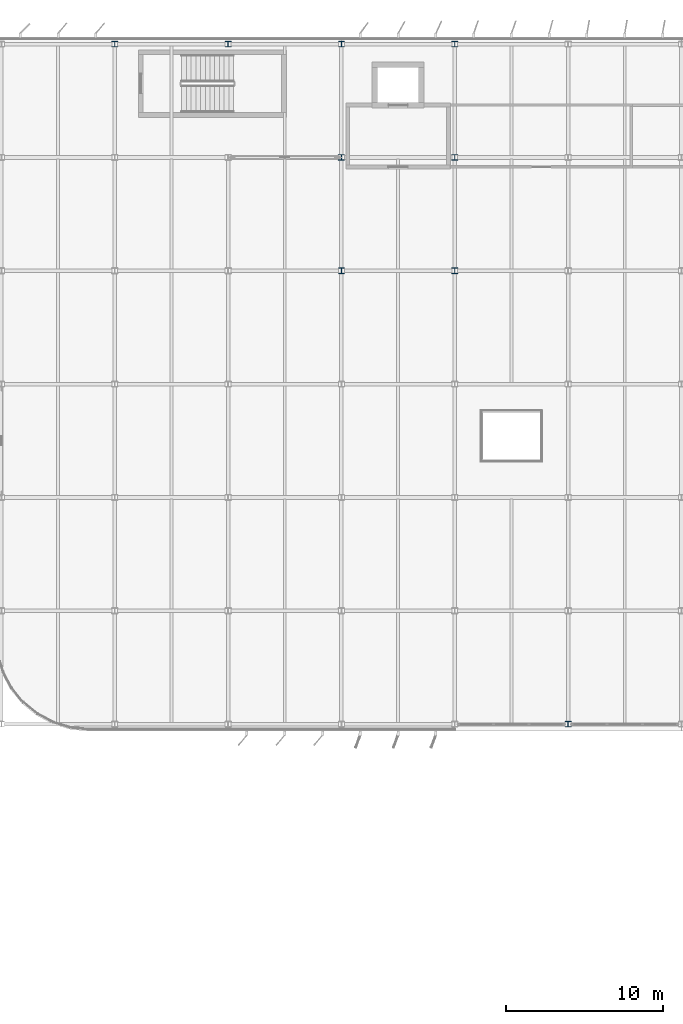
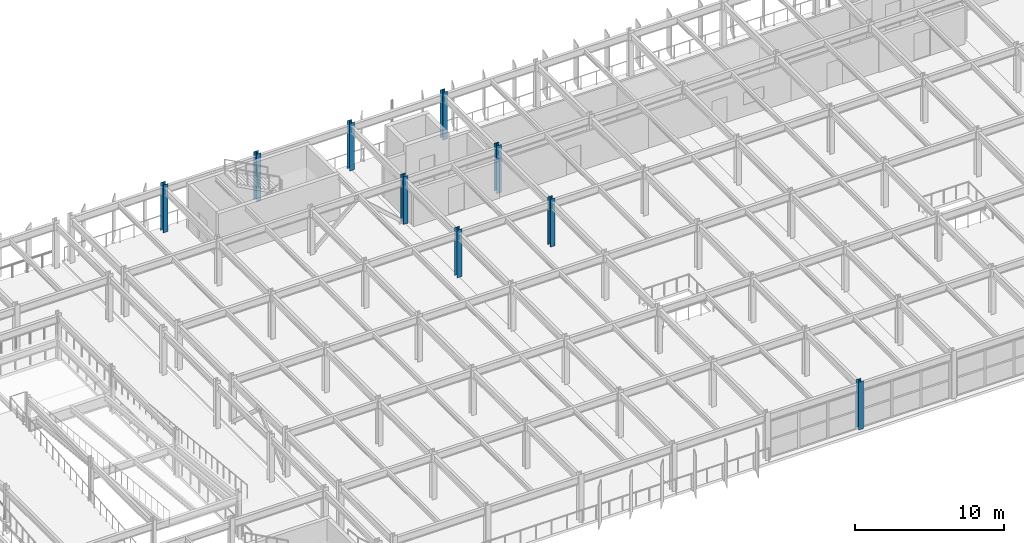
# One storey, part 4 of 52: 9 columns.
"""IFC4 building model written with IfcOpenShell, lengths in metres."""

from ifc_helpers import new_model, si_unit, direction, frame, origin, origin_2d, place, context, subcontext, project, spatial, i_section, extrude, material, material_profile, profile_set, type_object, element, save


model = new_model("IFC4")

# Units and contexts
model_context = context("Model", 3, precision=1e-05, world=origin(), true_north=direction((0.0, 1.0)))
body_context = subcontext(model_context, "Body", "Model", "MODEL_VIEW")
ifc_project = project(units=[si_unit("LENGTHUNIT", "METRE"), si_unit("AREAUNIT", "SQUARE_METRE"), si_unit("VOLUMEUNIT", "CUBIC_METRE"), si_unit("PLANEANGLEUNIT", "RADIAN"), si_unit("MASSUNIT", "GRAM", prefix="KILO")], contexts=[model_context])

# Site, building, storey
site_placement = place(None, origin())
site = spatial("IfcSite", under=ifc_project, at=site_placement, CompositionType="ELEMENT")
building_placement = place(site_placement, origin())
building = spatial("IfcBuilding", under=site, at=building_placement, Name="Vaelcorin Mobility Hub", CompositionType="ELEMENT")
storey_placement = place(building_placement, frame((0.0, 0.0, 13.199951171875)))
storey = spatial("IfcBuildingStorey", under=building, at=storey_placement, Name="L03", CompositionType="ELEMENT", Elevation=13.199951171875)

# Columns
ifc_material = material(Name="Steel ASTM A992 Grade 50", Category="steel")
ifc_material_profile_1 = material_profile(ifc_material, i_section(OverallWidth=0.37109375, OverallDepth=0.363037109375, WebThickness=0.01318359375, FlangeThickness=0.021728515625, FilletRadius=0.014892578125, at=origin_2d()), Name="W14X109")
ifc_profile_set_1 = profile_set([ifc_material_profile_1], Name="Steel ASTM A992 Grade 50")
column_type_1 = type_object("IfcColumnType", Name="COL-W14X109", PredefinedType="COLUMN", material=ifc_profile_set_1)
for number, where, z_axis, x_axis, name in (
    (1, (43.199951171875, 120.0, 0.0), (0.0, 0.0, 1.0), (1.0, 0.0, 0.0), "Column V4-X02Y07 L03"),
    (2, (50.39990234375, 120.0, 0.0), (0.0, 0.0, 1.0), (1.0, 0.0, 0.0), "Column V4-X03Y07 L03"),
    (3, (57.60009765625, 105.60009765625, 0.0), (0.0, 0.0, 1.0), (1.0, 0.0, 0.0), "Column V4-X04Y05 L03"),
    (4, (57.60009765625, 120.0, 0.0), (0.0, 0.0, 1.0), (1.0, 0.0, 0.0), "Column V4-X04Y07 L03"),
    (5, (64.800048828125, 105.60009765625, 0.0), (0.0, 0.0, 1.0), (1.0, 0.0, 0.0), "Column V4-X05Y05 L03"),
    (6, (64.800048828125, 120.0, 0.0), (0.0, 0.0, 1.0), (1.0, 0.0, 0.0), "Column V4-X05Y07 L03"),
    (7, (72.0, 76.800048828125, 0.0), (0.0, 0.0, 1.0), (1.0, 0.0, 0.0), "Column V4-X06Y01 L03"),
):
    element("IfcColumn", number, at=place(storey_placement, frame(where, z_axis=z_axis, x_axis=x_axis)), inside=storey, type_object=column_type_1, Name=name, PredefinedType="COLUMN", context=body_context, shape_type="SweptSolid", body=[
        extrude(i_section(OverallWidth=0.37109375, OverallDepth=0.363037109375, WebThickness=0.01318359375, FlangeThickness=0.021728515625, FilletRadius=0.014892578125, at=origin_2d()), origin(), (0.0, 0.0, 1.0), 3.900146484375),
    ])
ifc_material_profile_2 = material_profile(ifc_material, i_section(OverallWidth=0.373046875, OverallDepth=0.373046875, WebThickness=0.016357421875, FlangeThickness=0.026123046875, FilletRadius=0.014892578125, at=origin_2d()), Name="W14X132")
ifc_profile_set_2 = profile_set([ifc_material_profile_2], Name="Steel ASTM A992 Grade 50")
column_type_2 = type_object("IfcColumnType", Name="COL-W14X132", PredefinedType="COLUMN", material=ifc_profile_set_2)
for number, where, z_axis, x_axis, name in (
    (8, (57.60009765625, 112.800048828125, 0.0), (0.0, 0.0, 1.0), (1.0, 0.0, 0.0), "Column V4-X04Y06 L03"),
    (9, (64.800048828125, 112.800048828125, 0.0), (0.0, 0.0, 1.0), (1.0, 0.0, 0.0), "Column V4-X05Y06 L03"),
):
    element("IfcColumn", number, at=place(storey_placement, frame(where, z_axis=z_axis, x_axis=x_axis)), inside=storey, type_object=column_type_2, Name=name, PredefinedType="COLUMN", context=body_context, shape_type="SweptSolid", body=[
        extrude(i_section(OverallWidth=0.373046875, OverallDepth=0.373046875, WebThickness=0.016357421875, FlangeThickness=0.026123046875, FilletRadius=0.014892578125, at=origin_2d()), origin(), (0.0, 0.0, 1.0), 3.900146484375),
    ])

save(model, "model.ifc")
